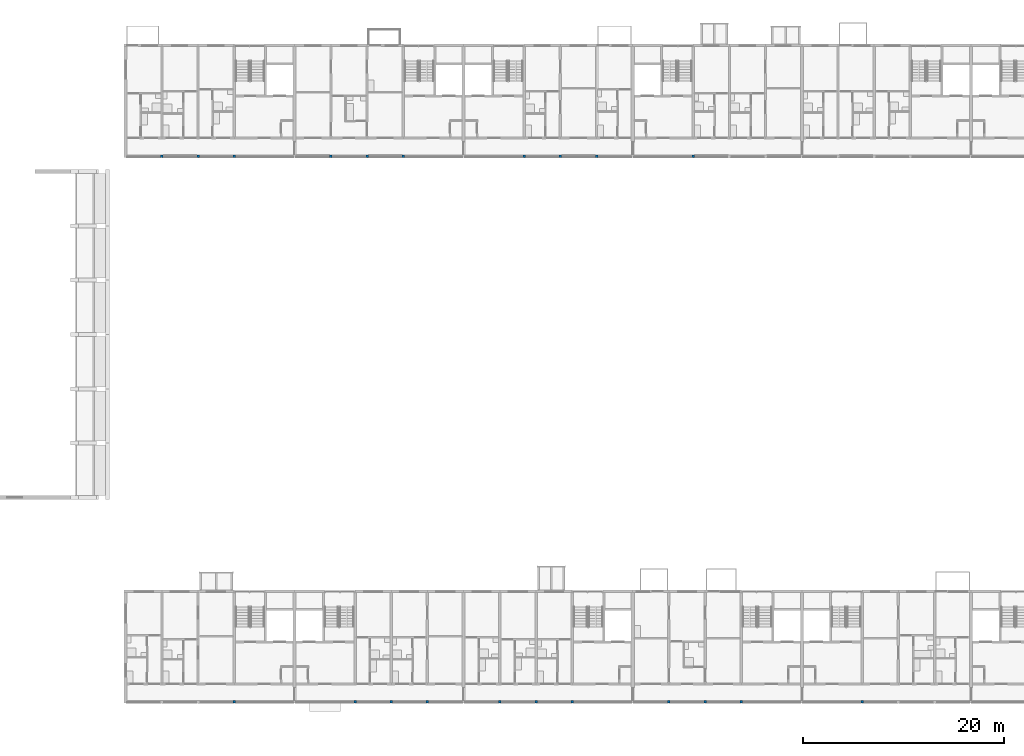
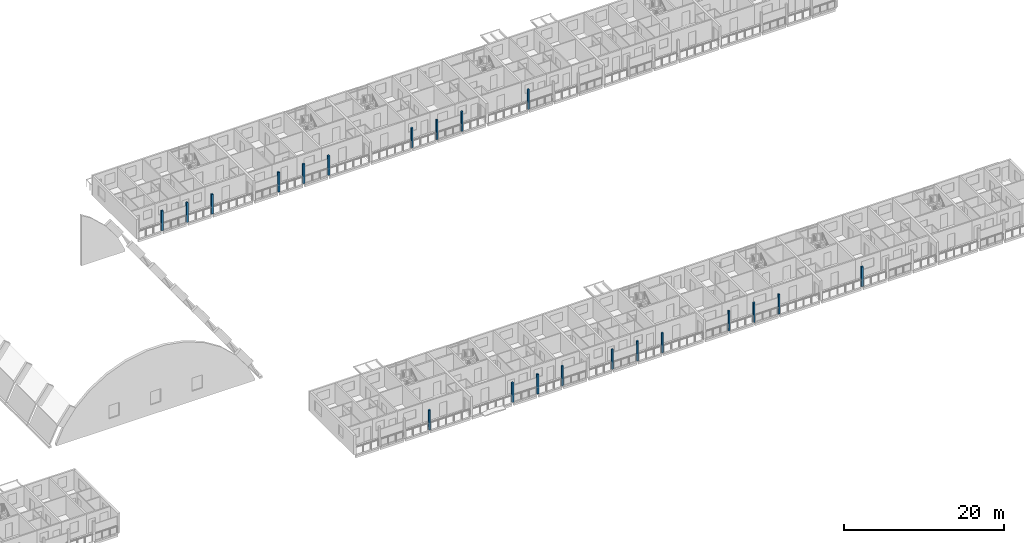
# One storey, part 3 of 100: 21 columns.
"""IFC4 building model written with IfcOpenShell, lengths in metres."""

from ifc_helpers import new_model, si_unit, direction, frame, origin, origin_2d, place, context, subcontext, project, spatial, rectangle, extrude, material, material_profile, profile_set, type_object, element, save


model = new_model("IFC4")

# Units and contexts
model_context = context("Model", 3, precision=1e-05, world=origin(), true_north=direction((0.0, 1.0)))
body_context = subcontext(model_context, "Body", "Model", "MODEL_VIEW")
ifc_project = project(units=[si_unit("LENGTHUNIT", "METRE"), si_unit("AREAUNIT", "SQUARE_METRE"), si_unit("VOLUMEUNIT", "CUBIC_METRE"), si_unit("PLANEANGLEUNIT", "RADIAN"), si_unit("MASSUNIT", "GRAM", prefix="KILO")], contexts=[model_context])

# Site, building, storey
site_placement = place(None, origin())
site = spatial("IfcSite", under=ifc_project, at=site_placement, CompositionType="ELEMENT")
building_placement = place(site_placement, origin())
building = spatial("IfcBuilding", under=site, at=building_placement, Name="Ridgestep Commons", CompositionType="ELEMENT")
storey_placement = place(building_placement, frame((0.0, 0.0, 9.0)))
storey = spatial("IfcBuildingStorey", under=building, at=storey_placement, Name="L03", CompositionType="ELEMENT", Elevation=9.0)

# Columns
ifc_material = material(Name="Precast concrete C40/50", Category="concrete")
ifc_material_profile = material_profile(ifc_material, rectangle(XDim=0.25, YDim=0.25, at=origin_2d()), Name="PC 250x250")
ifc_profile_set = profile_set([ifc_material_profile], Name="Precast concrete C40/50")
column_type = type_object("IfcColumnType", Name="Loggia column 250 x 250", PredefinedType="COLUMN", material=ifc_profile_set)
for number, where, z_axis, x_axis, name in (
    (1, (150.39990234375, 66.125, 0.0), (0.0, 0.0, 1.0), (1.0, 0.0, 0.0), "Loggia column C L03"),
    (2, (154.0, 66.125, 0.0), (0.0, 0.0, 1.0), (1.0, 0.0, 0.0), "Loggia column C L03"),
    (3, (157.60009765625, 66.125, 0.0), (0.0, 0.0, 1.0), (1.0, 0.0, 0.0), "Loggia column C L03"),
    (4, (167.199951171875, 66.125, 0.0), (0.0, 0.0, 1.0), (1.0, 0.0, 0.0), "Loggia column C L03"),
    (5, (170.800048828125, 66.125, 0.0), (0.0, 0.0, 1.0), (1.0, 0.0, 0.0), "Loggia column C L03"),
    (6, (174.39990234375, 66.125, 0.0), (0.0, 0.0, 1.0), (1.0, 0.0, 0.0), "Loggia column C L03"),
    (7, (186.39990234375, 66.125, 0.0), (0.0, 0.0, 1.0), (1.0, 0.0, 0.0), "Loggia column C L03"),
    (8, (190.0, 66.125, 0.0), (0.0, 0.0, 1.0), (1.0, 0.0, 0.0), "Loggia column C L03"),
    (9, (193.60009765625, 66.125, 0.0), (0.0, 0.0, 1.0), (1.0, 0.0, 0.0), "Loggia column C L03"),
    (10, (203.199951171875, 66.125, 0.0), (0.0, 0.0, 1.0), (1.0, 0.0, 0.0), "Loggia column C L03"),
    (11, (157.60009765625, 11.875, 0.0), (0.0, 0.0, 1.0), (1.0, 0.0, 0.0), "Loggia column D L03"),
    (12, (169.60009765625, 11.875, 0.0), (0.0, 0.0, 1.0), (1.0, 0.0, 0.0), "Loggia column D L03"),
    (13, (173.199951171875, 11.875, 0.0), (0.0, 0.0, 1.0), (1.0, 0.0, 0.0), "Loggia column D L03"),
    (14, (176.800048828125, 11.875, 0.0), (0.0, 0.0, 1.0), (1.0, 0.0, 0.0), "Loggia column D L03"),
    (15, (184.0, 11.875, 0.0), (0.0, 0.0, 1.0), (1.0, 0.0, 0.0), "Loggia column D L03"),
    (16, (187.60009765625, 11.875, 0.0), (0.0, 0.0, 1.0), (1.0, 0.0, 0.0), "Loggia column D L03"),
    (17, (191.199951171875, 11.875, 0.0), (0.0, 0.0, 1.0), (1.0, 0.0, 0.0), "Loggia column D L03"),
    (18, (200.800048828125, 11.875, 0.0), (0.0, 0.0, 1.0), (1.0, 0.0, 0.0), "Loggia column D L03"),
    (19, (204.39990234375, 11.875, 0.0), (0.0, 0.0, 1.0), (1.0, 0.0, 0.0), "Loggia column D L03"),
    (20, (208.0, 11.875, 0.0), (0.0, 0.0, 1.0), (1.0, 0.0, 0.0), "Loggia column D L03"),
    (21, (220.0, 11.875, 0.0), (0.0, 0.0, 1.0), (1.0, 0.0, 0.0), "Loggia column D L03"),
):
    element("IfcColumn", number, at=place(storey_placement, frame(where, z_axis=z_axis, x_axis=x_axis)), inside=storey, type_object=column_type, Name=name, PredefinedType="COLUMN", context=body_context, shape_type="SweptSolid", body=[
        extrude(rectangle(XDim=0.25, YDim=0.25, at=origin_2d()), origin(), (0.0, 0.0, 1.0), 3.0),
    ])

save(model, "model.ifc")
